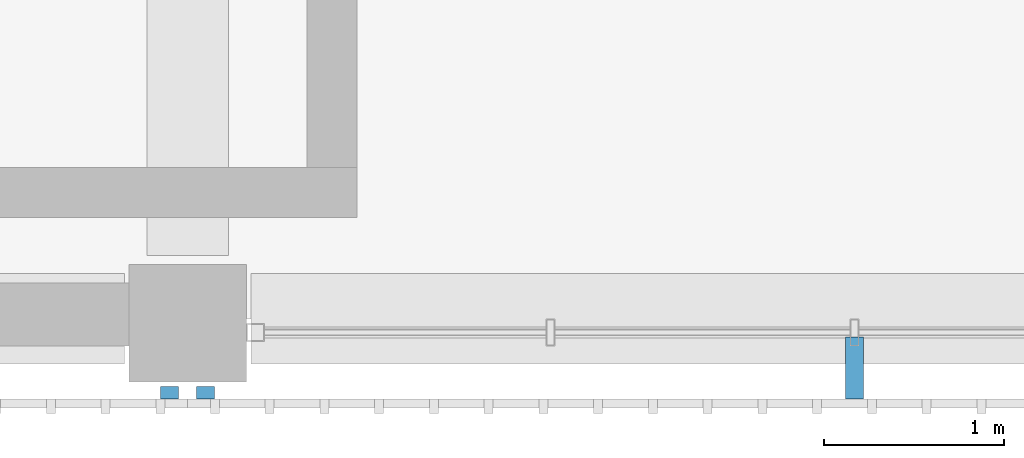
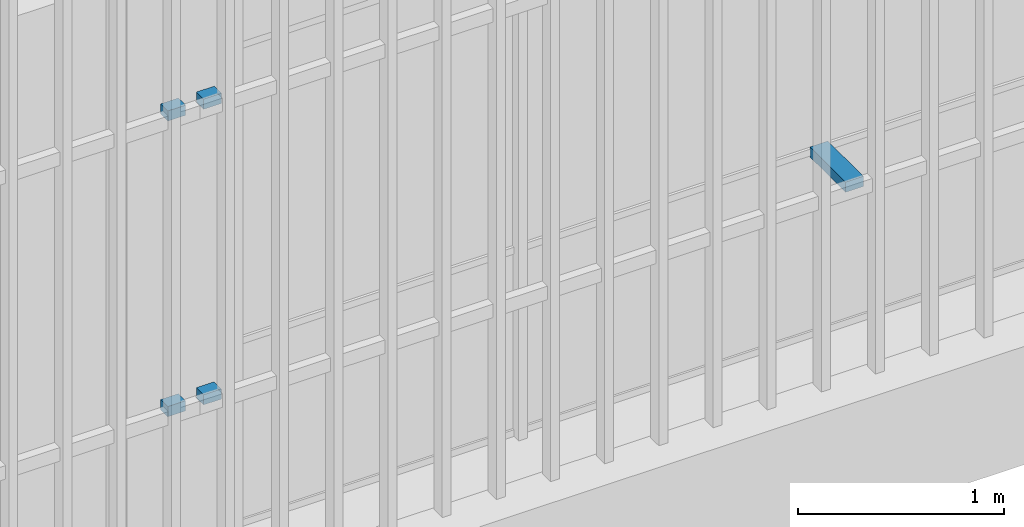
# One storey, part 93 of 126: 5 discrete accessories.
"""IFC4 building model written with IfcOpenShell, lengths in metres."""

from ifc_helpers import new_model, si_unit, direction, frame, origin, origin_2d, place, context, subcontext, project, spatial, rectangle, extrude, material, type_object, element, save


model = new_model("IFC4")

# Units and contexts
model_context = context("Model", 3, precision=1e-05, world=origin(), true_north=direction((0.0, 1.0)))
body_context = subcontext(model_context, "Body", "Model", "MODEL_VIEW")
ifc_project = project(units=[si_unit("LENGTHUNIT", "METRE"), si_unit("AREAUNIT", "SQUARE_METRE"), si_unit("VOLUMEUNIT", "CUBIC_METRE"), si_unit("PLANEANGLEUNIT", "RADIAN"), si_unit("MASSUNIT", "GRAM", prefix="KILO")], contexts=[model_context])

# Site, building, storey
site_placement = place(None, origin())
site = spatial("IfcSite", under=ifc_project, at=site_placement, CompositionType="ELEMENT")
building_placement = place(site_placement, origin())
building = spatial("IfcBuilding", under=site, at=building_placement, Name="Shirokan Park Arena", CompositionType="ELEMENT")
storey_placement = place(building_placement, frame((0.0, 0.0, 6.3701171875)))
storey = spatial("IfcBuildingStorey", under=building, at=storey_placement, Name="L01", CompositionType="ELEMENT", Elevation=6.3701171875)

# Discrete accessories
ifc_material = material(Name="Steel S355", Category="steel")
discrete_accessory_type = type_object("IfcDiscreteAccessoryType", Name="Veil bracket 100x60", PredefinedType="BRACKET", material=ifc_material)
for number, where, z_axis, x_axis, name in (
    (1, (27.199951171875, -0.409912109375, 1.06982421875), (0.0, 0.0, 1.0), (1.0, 0.0, 0.0), "Veil bracket south bay 3 L01 2"),
    (2, (27.199951171875, -0.409912109375, 2.81982421875), (0.0, 0.0, 1.0), (1.0, 0.0, 0.0), "Veil bracket south bay 3 L01 4"),
    (3, (27.39990234375, -0.409912109375, 1.06982421875), (0.0, 0.0, 1.0), (1.0, 0.0, 0.0), "Veil bracket south bay 4 L01 1"),
    (4, (27.39990234375, -0.409912109375, 2.81982421875), (0.0, 0.0, 1.0), (1.0, 0.0, 0.0), "Veil bracket south bay 4 L01 3"),
):
    element("IfcDiscreteAccessory", number, at=place(storey_placement, frame(where, z_axis=z_axis, x_axis=x_axis)), inside=storey, type_object=discrete_accessory_type, Name=name, PredefinedType="BRACKET", context=body_context, shape_type="SweptSolid", body=[
        extrude(rectangle(XDim=0.10009765625, YDim=0.070068359375, at=origin_2d()), origin(), (0.0, 0.0, 1.0), 0.06005859375),
    ])
discrete_accessory_placement = place(storey_placement, frame((30.9951171875, -0.2724609375, 1.06982421875), z_axis=(0.0, 0.0, 1.0), x_axis=(1.0, 0.0, 0.0)))
element("IfcDiscreteAccessory", 5, at=discrete_accessory_placement, inside=storey, type_object=discrete_accessory_type, Name="Veil bracket south bay 4 L01 wall 1", PredefinedType="BRACKET", context=body_context, shape_type="SweptSolid", body=[
    extrude(rectangle(XDim=0.10009765625, YDim=0.344970703125, at=origin_2d()), origin(), (0.0, 0.0, 1.0), 0.06005859375),
])

save(model, "model.ifc")
